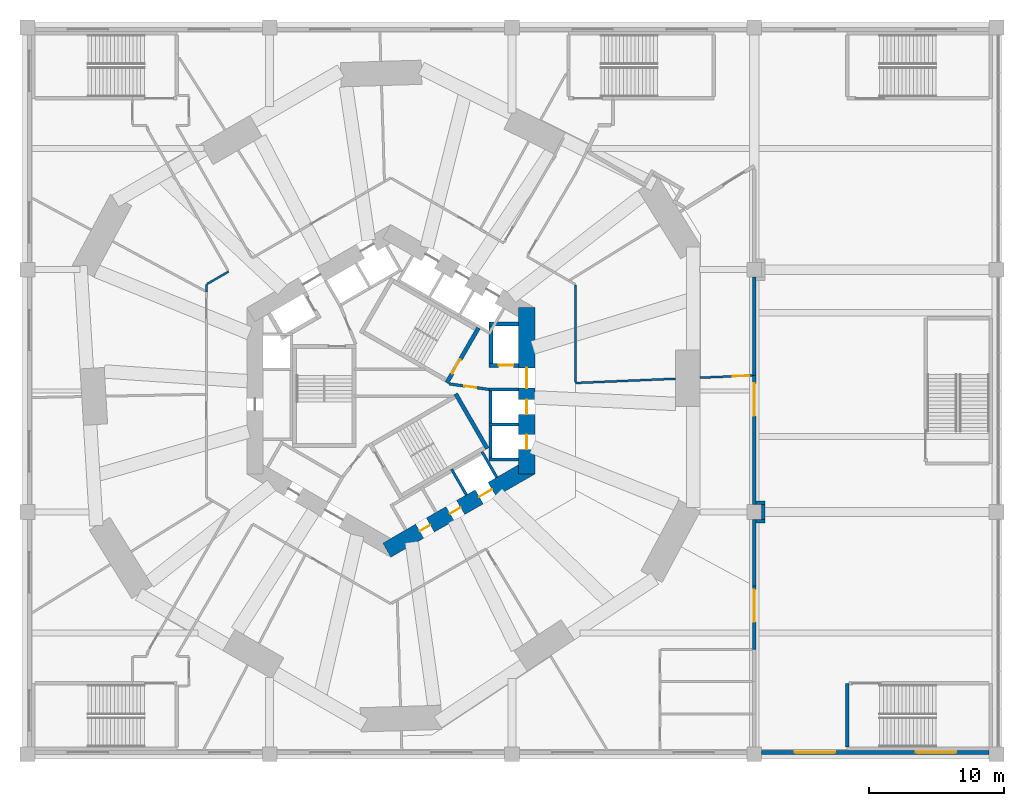
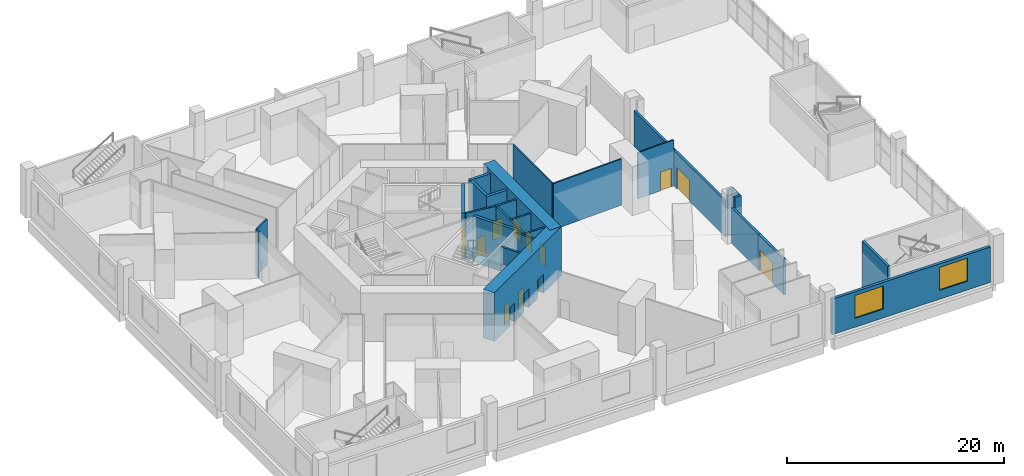
# One storey, part 7 of 16: 28 walls, 12 doors, 2 windows, 14 openings.
"""IFC4 building model written with IfcOpenShell, lengths in metres."""

from ifc_helpers import new_model, si_unit, direction, frame, frame_2d, origin, place, context, subcontext, project, spatial, rectangle, extrude, material, layer, layer_set, type_object, element, fill, save


model = new_model("IFC4")

# Units and contexts
model_context = context("Model", 3, precision=1e-05, world=origin(), true_north=direction((0.0, 1.0)))
body_context = subcontext(model_context, "Body", "Model", "MODEL_VIEW")
ifc_project = project(units=[si_unit("LENGTHUNIT", "METRE"), si_unit("AREAUNIT", "SQUARE_METRE"), si_unit("VOLUMEUNIT", "CUBIC_METRE"), si_unit("PLANEANGLEUNIT", "RADIAN"), si_unit("MASSUNIT", "GRAM", prefix="KILO")], contexts=[model_context])

# Site, building, storey
site_placement = place(None, origin())
site = spatial("IfcSite", under=ifc_project, at=site_placement, CompositionType="ELEMENT")
building_placement = place(site_placement, origin())
building = spatial("IfcBuilding", under=site, at=building_placement, Name="Vanh Sen Convention Tower", CompositionType="ELEMENT")
storey_placement = place(building_placement, frame((0.0, 0.0, 7.5)))
storey = spatial("IfcBuildingStorey", under=building, at=storey_placement, Name="L01", CompositionType="ELEMENT", Elevation=7.5)

# Wall, opening, door
ifc_material_1 = material(Name="Concrete C40/50", Category="concrete")
ifc_layer_1 = layer(ifc_material_1, 0.25)
ifc_layer_set_1 = layer_set([ifc_layer_1], Name="Concrete C40/50")
wall_type_1 = type_object("IfcWallType", Name="Concrete wall 250 EI 180", PredefinedType="SOLIDWALL", material=ifc_layer_set_1)
wall_1_placement = place(storey_placement, frame((27.0, -19.199951171875, 0.0), z_axis=(0.0, 0.0, 1.0), x_axis=(0.0, 1.0, 0.0)))
wall_1 = element("IfcWall", 1, at=wall_1_placement, inside=storey, type_object=wall_type_1, Name="Fire-resisting wall L01-026", PredefinedType="SOLIDWALL", context=body_context, shape_type="SweptSolid", body=[
    extrude(rectangle(XDim=4.6923828125, YDim=0.25, at=frame_2d((2.34619140625, 0.0))), origin(), (0.0, 0.0, 1.0), 4.0),
])
opening_1_placement = place(wall_1_placement, frame((2.04248046875, 0.0, 0.0)))
opening_1 = element("IfcOpeningElement", 2, at=opening_1_placement, cuts=wall_1, Name="Opening D01108", PredefinedType="OPENING", context=body_context, shape_type="SweptSolid", body=[
    extrude(rectangle(XDim=2.39990234375, YDim=2.39990234375, at=frame_2d((1.199951171875, 1.199951171875))), frame((0.0, 0.135009765625, 0.0), z_axis=(0.0, -1.0, 0.0), x_axis=(1.0, 0.0, 0.0)), (0.0, 0.0, 1.0), 0.27001953125),
])
ifc_material_2 = material(Name="Timber door in steel frame", Category="steel")
door_type_1 = type_object("IfcDoorType", Name="Double door 2400 EI 60", OperationType="DOUBLE_DOOR_SINGLE_SWING", PredefinedType="DOOR", material=ifc_material_2)
door_1_placement = place(opening_1_placement, origin())
door_1 = element("IfcDoor", 3, at=door_1_placement, inside=storey, type_object=door_type_1, Name="Double door D01108", OperationType="DOUBLE_DOOR_SINGLE_SWING", OverallHeight=2.39990234375, OverallWidth=2.39990234375, PredefinedType="DOOR", context=body_context, shape_type="SweptSolid", body=[
    extrude(rectangle(XDim=2.39990234375, YDim=2.39990234375, at=frame_2d((1.199951171875, 1.199951171875))), frame((0.0, 0.02490234375, 0.0), z_axis=(0.0, -1.0, 0.0), x_axis=(1.0, 0.0, 0.0)), (0.0, 0.0, 1.0), 0.050048828125),
])
fill(opening_1, door_1)

# Walls
wall_2_placement = place(storey_placement, frame((27.0, -14.507568359375, 0.0), z_axis=(0.0, 0.0, 1.0), x_axis=(0.0, 1.0, 0.0)))
element("IfcWall", 4, at=wall_2_placement, inside=storey, type_object=wall_type_1, Name="Fire-resisting wall L01-035", PredefinedType="SOLIDWALL", context=body_context, shape_type="SweptSolid", body=[
    extrude(rectangle(XDim=4.95751953125, YDim=0.25, at=frame_2d((2.478759765625, 0.0))), origin(), (0.0, 0.0, 1.0), 4.0),
])
wall_3_placement = place(storey_placement, frame((27.125, -9.675048828125, 0.0), z_axis=(0.0, 0.0, 1.0), x_axis=(1.0, 0.0, 0.0)))
element("IfcWall", 5, at=wall_3_placement, inside=storey, type_object=wall_type_1, Name="Fire-resisting wall L01-039", PredefinedType="SOLIDWALL", context=body_context, shape_type="SweptSolid", body=[
    extrude(rectangle(XDim=0.677001953125, YDim=0.25, at=frame_2d((0.33837890625, 0.0))), origin(), (0.0, 0.0, 1.0), 5.199951171875),
])
wall_4_placement = place(storey_placement, frame((27.677001953125, -9.550048828125, 0.0), z_axis=(0.0, 0.0, 1.0), x_axis=(0.0, 1.0, 0.0)))
element("IfcWall", 6, at=wall_4_placement, inside=storey, type_object=wall_type_1, Name="Fire-resisting wall L01-040", PredefinedType="SOLIDWALL", context=body_context, shape_type="SweptSolid", body=[
    extrude(rectangle(XDim=1.10009765625, YDim=0.25, at=frame_2d((0.550048828125, 0.0))), origin(), (0.0, 0.0, 1.0), 5.199951171875),
])

# Wall, opening, door
wall_5_placement = place(storey_placement, frame((27.0, -8.449951171875, 0.0), z_axis=(0.0, 0.0, 1.0), x_axis=(0.0, 1.0, 0.0)))
wall_5 = element("IfcWall", 7, at=wall_5_placement, inside=storey, type_object=wall_type_1, Name="Fire-resisting wall L01-042", PredefinedType="SOLIDWALL", context=body_context, shape_type="SweptSolid", body=[
    extrude(rectangle(XDim=9.597412109375, YDim=0.25, at=frame_2d((4.798828125, 0.0))), origin(), (0.0, 0.0, 1.0), 4.0),
])
opening_2_placement = place(wall_5_placement, frame((6.597412109375, 0.0, 0.0)))
opening_2 = element("IfcOpeningElement", 8, at=opening_2_placement, cuts=wall_5, Name="Opening D01111", PredefinedType="OPENING", context=body_context, shape_type="SweptSolid", body=[
    extrude(rectangle(XDim=2.39990234375, YDim=2.39990234375, at=frame_2d((1.199951171875, 1.199951171875))), frame((0.0, 0.135009765625, 0.0), z_axis=(0.0, -1.0, 0.0), x_axis=(1.0, 0.0, 0.0)), (0.0, 0.0, 1.0), 0.27001953125),
])
door_2_placement = place(opening_2_placement, origin())
door_2 = element("IfcDoor", 9, at=door_2_placement, inside=storey, type_object=door_type_1, Name="Double door D01111", OperationType="DOUBLE_DOOR_SINGLE_SWING", OverallHeight=2.39990234375, OverallWidth=2.39990234375, PredefinedType="DOOR", context=body_context, shape_type="SweptSolid", body=[
    extrude(rectangle(XDim=2.39990234375, YDim=2.39990234375, at=frame_2d((1.199951171875, 1.199951171875))), frame((0.0, 0.02490234375, 0.0), z_axis=(0.0, -1.0, 0.0), x_axis=(1.0, 0.0, 0.0)), (0.0, 0.0, 1.0), 0.050048828125),
])
fill(opening_2, door_2)

# Walls
wall_6_placement = place(storey_placement, frame((27.125, -8.324951171875, 0.0), z_axis=(0.0, 0.0, 1.0), x_axis=(1.0, 0.0, 0.0)))
element("IfcWall", 10, at=wall_6_placement, inside=storey, type_object=wall_type_1, Name="Fire-resisting wall L01-043", PredefinedType="SOLIDWALL", context=body_context, shape_type="SweptSolid", body=[
    extrude(rectangle(XDim=0.677001953125, YDim=0.25, at=frame_2d((0.33837890625, 0.0))), origin(), (0.0, 0.0, 1.0), 5.199951171875),
])
wall_7_placement = place(storey_placement, frame((27.0, 1.1474609375, 0.0), z_axis=(0.0, 0.0, 1.0), x_axis=(0.0, 1.0, 0.0)))
element("IfcWall", 11, at=wall_7_placement, inside=storey, type_object=wall_type_1, Name="Fire-resisting wall L01-053", PredefinedType="SOLIDWALL", context=body_context, shape_type="SweptSolid", body=[
    extrude(rectangle(XDim=7.302490234375, YDim=0.25, at=frame_2d((3.6513671875, 0.0))), origin(), (0.0, 0.0, 1.0), 4.0),
])
ifc_layer_2 = layer(ifc_material_1, 0.25)
ifc_layer_set_2 = layer_set([ifc_layer_2], Name="Concrete C40/50")
wall_type_2 = type_object("IfcWallType", Name="Concrete wall 250 REI 180", PredefinedType="SOLIDWALL", material=ifc_layer_set_2)
wall_8_placement = place(storey_placement, frame((33.89990234375, -26.43994140625, 0.0), z_axis=(0.0, 0.0, 1.0), x_axis=(0.0, 1.0, 0.0)))
element("IfcWall", 12, at=wall_8_placement, inside=storey, type_object=wall_type_2, Name="Fire-resisting wall L01-003", PredefinedType="SOLIDWALL", context=body_context, shape_type="SweptSolid", body=[
    extrude(rectangle(XDim=4.71484375, YDim=0.25, at=frame_2d((2.357421875, 0.0))), origin(), (0.0, 0.0, 1.0), 5.199951171875),
])

# Wall, openings, doors
ifc_material_3 = material(Name="Concrete C80/95", Category="concrete")
ifc_layer_3 = layer(ifc_material_3, 1.199951171875)
ifc_layer_set_3 = layer_set([ifc_layer_3], Name="Concrete C80/95")
wall_type_3 = type_object("IfcWallType", Name="Core outer wall 1200 C80/95", PredefinedType="SHEAR", material=ifc_layer_set_3)
wall_9_placement = place(storey_placement, frame((10.10009765625, -6.177490234375, 0.0), z_axis=(0.0, 0.0, 1.0), x_axis=(0.0, 1.0, 0.0)))
wall_9 = element("IfcWall", 13, at=wall_9_placement, inside=storey, type_object=wall_type_3, Name="Core wall face E L01", PredefinedType="SHEAR", context=body_context, shape_type="SweptSolid", body=[
    extrude(rectangle(XDim=12.35498046875, YDim=1.199951171875, at=frame_2d((6.177490234375, 0.0))), origin(), (0.0, 0.0, 1.0), 5.5),
])
opening_3_placement = place(wall_9_placement, frame((6.377685546875, 0.0, 0.0)))
opening_3 = element("IfcOpeningElement", 14, at=opening_3_placement, cuts=wall_9, Name="Opening D01001", PredefinedType="OPENING", context=body_context, shape_type="SweptSolid", body=[
    extrude(rectangle(XDim=1.5, YDim=2.10009765625, at=frame_2d((0.75, 1.050048828125))), frame((0.0, 0.60986328125, 0.0), z_axis=(0.0, -1.0, 0.0), x_axis=(1.0, 0.0, 0.0)), (0.0, 0.0, 1.0), 1.219970703125),
])
opening_4_placement = place(wall_9_placement, frame((1.82763671875, 0.0, 0.0)))
opening_4 = element("IfcOpeningElement", 15, at=opening_4_placement, cuts=wall_9, Name="Opening LD-LR1", PredefinedType="OPENING", context=body_context, shape_type="SweptSolid", body=[
    extrude(rectangle(XDim=1.10009765625, YDim=2.10009765625, at=frame_2d((0.550048828125, 1.050048828125))), frame((0.0, 0.60986328125, 0.0), z_axis=(0.0, -1.0, 0.0), x_axis=(1.0, 0.0, 0.0)), (0.0, 0.0, 1.0), 1.219970703125),
])
opening_5_placement = place(wall_9_placement, frame((4.427490234375, 0.0, 0.0)))
opening_5 = element("IfcOpeningElement", 16, at=opening_5_placement, cuts=wall_9, Name="Opening LD-LR2", PredefinedType="OPENING", context=body_context, shape_type="SweptSolid", body=[
    extrude(rectangle(XDim=1.10009765625, YDim=2.10009765625, at=frame_2d((0.550048828125, 1.050048828125))), frame((0.0, 0.60986328125, 0.0), z_axis=(0.0, -1.0, 0.0), x_axis=(1.0, 0.0, 0.0)), (0.0, 0.0, 1.0), 1.219970703125),
])
ifc_material_4 = material(Name="Stainless steel", Category="steel")
door_type_2 = type_object("IfcDoorType", Name="Lift landing door 1100", OperationType="DOUBLE_DOOR_SLIDING", PredefinedType="DOOR", material=ifc_material_4)
door_3_placement = place(opening_4_placement, origin())
door_3 = element("IfcDoor", 17, at=door_3_placement, inside=storey, type_object=door_type_2, Name="Lift LR1 landing door LD-LR1", OperationType="DOUBLE_DOOR_SLIDING", OverallHeight=2.10009765625, OverallWidth=1.10009765625, PredefinedType="DOOR", context=body_context, shape_type="SweptSolid", body=[
    extrude(rectangle(XDim=1.10009765625, YDim=2.10009765625, at=frame_2d((0.550048828125, 1.050048828125))), frame((0.0, 0.02490234375, 0.0), z_axis=(0.0, -1.0, 0.0), x_axis=(1.0, 0.0, 0.0)), (0.0, 0.0, 1.0), 0.050048828125),
])
fill(opening_4, door_3)
door_4_placement = place(opening_5_placement, origin())
door_4 = element("IfcDoor", 18, at=door_4_placement, inside=storey, type_object=door_type_2, Name="Lift LR2 landing door LD-LR2", OperationType="DOUBLE_DOOR_SLIDING", OverallHeight=2.10009765625, OverallWidth=1.10009765625, PredefinedType="DOOR", context=body_context, shape_type="SweptSolid", body=[
    extrude(rectangle(XDim=1.10009765625, YDim=2.10009765625, at=frame_2d((0.550048828125, 1.050048828125))), frame((0.0, 0.02490234375, 0.0), z_axis=(0.0, -1.0, 0.0), x_axis=(1.0, 0.0, 0.0)), (0.0, 0.0, 1.0), 0.050048828125),
])
fill(opening_5, door_4)
ifc_material_5 = material(Name="Steel S355", Category="steel")
door_type_3 = type_object("IfcDoorType", Name="Stair lobby door 1500", OperationType="DOUBLE_DOOR_SINGLE_SWING", PredefinedType="DOOR", material=ifc_material_5)
door_5_placement = place(opening_3_placement, origin())
door_5 = element("IfcDoor", 19, at=door_5_placement, inside=storey, type_object=door_type_3, Name="Stair lobby door D01001", OperationType="DOUBLE_DOOR_SINGLE_SWING", OverallHeight=2.10009765625, OverallWidth=1.5, PredefinedType="DOOR", context=body_context, shape_type="SweptSolid", body=[
    extrude(rectangle(XDim=1.5, YDim=2.10009765625, at=frame_2d((0.75, 1.050048828125))), frame((0.0, 0.02490234375, 0.0), z_axis=(0.0, -1.0, 0.0), x_axis=(1.0, 0.0, 0.0)), (0.0, 0.0, 1.0), 0.050048828125),
])
fill(opening_3, door_5)

wall_10_placement = place(storey_placement, frame((-0.300048828125, -11.835693359375, 0.0), z_axis=(0.0, 0.0, 1.0), x_axis=(0.866021384402, 0.500006961711, 0.0)))
wall_10 = element("IfcWall", 20, at=wall_10_placement, inside=storey, type_object=wall_type_3, Name="Core wall face SE L01", PredefinedType="SHEAR", context=body_context, shape_type="SweptSolid", body=[
    extrude(rectangle(XDim=12.355224609375, YDim=1.199951171875, at=frame_2d((6.177734375, 0.0))), origin(), (0.0, 0.0, 1.0), 5.5),
])
opening_6_placement = place(wall_10_placement, frame((2.82763671875, 0.0, 0.0)))
opening_6 = element("IfcOpeningElement", 21, at=opening_6_placement, cuts=wall_10, Name="Opening D01012", PredefinedType="OPENING", context=body_context, shape_type="SweptSolid", body=[
    extrude(rectangle(XDim=0.89990234375, YDim=2.10009765625, at=frame_2d((0.449951171875, 1.050048828125))), frame((0.0, 0.60986328125, 0.0), z_axis=(0.0, -1.0, 0.0), x_axis=(1.0, 0.0, 0.0)), (0.0, 0.0, 1.0), 1.219970703125),
])
opening_7_placement = place(wall_10_placement, frame((5.427734375, 0.0, 0.0)))
opening_7 = element("IfcOpeningElement", 22, at=opening_7_placement, cuts=wall_10, Name="Opening D01013", PredefinedType="OPENING", context=body_context, shape_type="SweptSolid", body=[
    extrude(rectangle(XDim=0.89990234375, YDim=2.10009765625, at=frame_2d((0.449951171875, 1.050048828125))), frame((0.0, 0.60986328125, 0.0), z_axis=(0.0, -1.0, 0.0), x_axis=(1.0, 0.0, 0.0)), (0.0, 0.0, 1.0), 1.219970703125),
])
opening_8_placement = place(wall_10_placement, frame((7.927734375, 0.0, 0.0)))
opening_8 = element("IfcOpeningElement", 23, at=opening_8_placement, cuts=wall_10, Name="Opening LD-SV1", PredefinedType="OPENING", context=body_context, shape_type="SweptSolid", body=[
    extrude(rectangle(XDim=1.10009765625, YDim=2.10009765625, at=frame_2d((0.550048828125, 1.050048828125))), frame((0.0, 0.60986328125, 0.0), z_axis=(0.0, -1.0, 0.0), x_axis=(1.0, 0.0, 0.0)), (0.0, 0.0, 1.0), 1.219970703125),
])
door_6_placement = place(opening_8_placement, origin())
door_6 = element("IfcDoor", 24, at=door_6_placement, inside=storey, type_object=door_type_2, Name="Lift SV1 landing door LD-SV1", OperationType="DOUBLE_DOOR_SLIDING", OverallHeight=2.10009765625, OverallWidth=1.10009765625, PredefinedType="DOOR", context=body_context, shape_type="SweptSolid", body=[
    extrude(rectangle(XDim=1.10009765625, YDim=2.10009765625, at=frame_2d((0.550048828125, 1.050048828125))), frame((0.0, 0.02490234375, 0.0), z_axis=(0.0, -1.0, 0.0), x_axis=(1.0, 0.0, 0.0)), (0.0, 0.0, 1.0), 0.050048828125),
])
fill(opening_8, door_6)
door_type_4 = type_object("IfcDoorType", Name="Plant door 900", OperationType="SINGLE_SWING_LEFT", PredefinedType="DOOR", material=ifc_material_5)
door_7_placement = place(opening_6_placement, origin())
door_7 = element("IfcDoor", 25, at=door_7_placement, inside=storey, type_object=door_type_4, Name="Plant door D01012", OperationType="SINGLE_SWING_LEFT", OverallHeight=2.10009765625, OverallWidth=0.89990234375, PredefinedType="DOOR", context=body_context, shape_type="SweptSolid", body=[
    extrude(rectangle(XDim=0.89990234375, YDim=2.10009765625, at=frame_2d((0.449951171875, 1.050048828125))), frame((0.0, 0.02490234375, 0.0), z_axis=(0.0, -1.0, 0.0), x_axis=(1.0, 0.0, 0.0)), (0.0, 0.0, 1.0), 0.050048828125),
])
fill(opening_6, door_7)
door_8_placement = place(opening_7_placement, origin())
door_8 = element("IfcDoor", 26, at=door_8_placement, inside=storey, type_object=door_type_4, Name="Plant door D01013", OperationType="SINGLE_SWING_LEFT", OverallHeight=2.10009765625, OverallWidth=0.89990234375, PredefinedType="DOOR", context=body_context, shape_type="SweptSolid", body=[
    extrude(rectangle(XDim=0.89990234375, YDim=2.10009765625, at=frame_2d((0.449951171875, 1.050048828125))), frame((0.0, 0.02490234375, 0.0), z_axis=(0.0, -1.0, 0.0), x_axis=(1.0, 0.0, 0.0)), (0.0, 0.0, 1.0), 0.050048828125),
])
fill(opening_7, door_8)

# Wall, opening, door
ifc_material_6 = material(Name="Concrete C60/75", Category="concrete")
ifc_layer_4 = layer(ifc_material_6, 0.300048828125)
ifc_layer_set_4 = layer_set([ifc_layer_4], Name="Concrete C60/75")
wall_type_4 = type_object("IfcWallType", Name="Fire-fighting lift shaft wall 300", PredefinedType="SHEAR", material=ifc_layer_set_4)
wall_11_placement = place(storey_placement, frame((7.300048828125, 1.89990234375, 0.0), z_axis=(0.0, 0.0, 1.0), x_axis=(1.0, 0.0, 0.0)))
wall_11 = element("IfcWall", 27, at=wall_11_placement, inside=storey, type_object=wall_type_4, Name="Fire-fighting lift shaft wall L01", PredefinedType="SHEAR", context=body_context, shape_type="SweptSolid", body=[
    extrude(rectangle(XDim=2.199951171875, YDim=0.300048828125, at=frame_2d((1.10009765625, 0.0))), origin(), (0.0, 0.0, 1.0), 5.199951171875),
])
opening_9_placement = place(wall_11_placement, frame((0.699951171875, 0.0, 0.0)))
opening_9 = element("IfcOpeningElement", 28, at=opening_9_placement, cuts=wall_11, Name="Opening LD-FF1", PredefinedType="OPENING", context=body_context, shape_type="SweptSolid", body=[
    extrude(rectangle(XDim=1.10009765625, YDim=2.10009765625, at=frame_2d((0.550048828125, 1.050048828125))), frame((0.0, 0.159912109375, 0.0), z_axis=(0.0, -1.0, 0.0), x_axis=(1.0, 0.0, 0.0)), (0.0, 0.0, 1.0), 0.320068359375),
])
door_type_5 = type_object("IfcDoorType", Name="Fire-fighting lift landing door 1100", OperationType="DOUBLE_DOOR_SLIDING", PredefinedType="DOOR", material=ifc_material_4)
door_9_placement = place(opening_9_placement, origin())
door_9 = element("IfcDoor", 29, at=door_9_placement, inside=storey, type_object=door_type_5, Name="Lift FF1 landing door LD-FF1", OperationType="DOUBLE_DOOR_SLIDING", OverallHeight=2.10009765625, OverallWidth=1.10009765625, PredefinedType="DOOR", context=body_context, shape_type="SweptSolid", body=[
    extrude(rectangle(XDim=1.10009765625, YDim=2.10009765625, at=frame_2d((0.550048828125, 1.050048828125))), frame((0.0, 0.02490234375, 0.0), z_axis=(0.0, -1.0, 0.0), x_axis=(1.0, 0.0, 0.0)), (0.0, 0.0, 1.0), 0.050048828125),
])
fill(opening_9, door_9)

# Walls
wall_12_placement = place(storey_placement, frame((7.449951171875, 1.75, 0.0), z_axis=(0.0, 0.0, 1.0), x_axis=(0.0, 1.0, 0.0)))
element("IfcWall", 30, at=wall_12_placement, inside=storey, type_object=wall_type_4, Name="Fire-fighting lift shaft wall L01", PredefinedType="SHEAR", context=body_context, shape_type="SweptSolid", body=[
    extrude(rectangle(XDim=3.35009765625, YDim=0.300048828125, at=frame_2d((1.675048828125, 0.0))), origin(), (0.0, 0.0, 1.0), 5.199951171875),
])
wall_13_placement = place(storey_placement, frame((7.300048828125, 4.949951171875, 0.0), z_axis=(0.0, 0.0, 1.0), x_axis=(1.0, 0.0, 0.0)))
element("IfcWall", 31, at=wall_13_placement, inside=storey, type_object=wall_type_4, Name="Fire-fighting lift shaft wall L01", PredefinedType="SHEAR", context=body_context, shape_type="SweptSolid", body=[
    extrude(rectangle(XDim=2.199951171875, YDim=0.300048828125, at=frame_2d((1.10009765625, 0.0))), origin(), (0.0, 0.0, 1.0), 5.199951171875),
])
ifc_layer_5 = layer(ifc_material_1, 0.199951171875)
ifc_layer_set_5 = layer_set([ifc_layer_5], Name="Concrete C40/50")
wall_type_5 = type_object("IfcWallType", Name="Lift shaft wall 200", PredefinedType="PARTITIONING", material=ifc_layer_set_5)
wall_14_placement = place(storey_placement, frame((7.39990234375, -5.199951171875, 0.0), z_axis=(0.0, 0.0, 1.0), x_axis=(0.0, 1.0, 0.0)))
element("IfcWall", 32, at=wall_14_placement, inside=storey, type_object=wall_type_5, Name="Lift shaft wall L01", PredefinedType="PARTITIONING", context=body_context, shape_type="SweptSolid", body=[
    extrude(rectangle(XDim=5.39990234375, YDim=0.199951171875, at=frame_2d((2.699951171875, 0.0))), origin(), (0.0, 0.0, 1.0), 5.199951171875),
])
for number, where, z_axis, x_axis, name in (
    (33, (7.300048828125, -5.10009765625, 0.0), (0.0, 0.0, 1.0), (1.0, 0.0, 0.0), "Lift shaft wall L01"),
    (34, (7.300048828125, -2.5, 0.0), (0.0, 0.0, 1.0), (1.0, 0.0, 0.0), "Lift shaft wall L01"),
    (35, (7.300048828125, 0.10009765625, 0.0), (0.0, 0.0, 1.0), (1.0, 0.0, 0.0), "Lift shaft wall L01"),
    (36, (4.51611328125, -5.822021484375, 0.0), (0.0, 0.0, 1.0), (0.499946605688, -0.86605622881, 0.0), "Lift shaft wall L01"),
    (37, (6.767578125, -4.52197265625, 0.0), (0.0, 0.0, 1.0), (0.50002983664, -0.866008176907, 0.0), "Lift shaft wall L01"),
):
    element("IfcWall", number, at=place(storey_placement, frame(where, z_axis=z_axis, x_axis=x_axis)), inside=storey, type_object=wall_type_5, Name=name, PredefinedType="PARTITIONING", context=body_context, shape_type="SweptSolid", body=[
        extrude(rectangle(XDim=2.199951171875, YDim=0.199951171875, at=frame_2d((1.10009765625, 0.0))), origin(), (0.0, 0.0, 1.0), 5.199951171875),
    ])
ifc_material_7 = material(Name="Gypsum board on steel studs", Category="steel")
ifc_layer_6 = layer(ifc_material_7, 0.14990234375)
ifc_layer_set_6 = layer_set([ifc_layer_6], Name="Gypsum board on steel studs")
wall_type_6 = type_object("IfcWallType", Name="Partition 150 EI 60", PredefinedType="PARTITIONING", material=ifc_layer_set_6)
wall_15_placement = place(storey_placement, frame((21.14990234375, 0.899169921875, 0.0), z_axis=(0.0, 0.0, 1.0), x_axis=(-0.999097940345, -0.04246534585, 0.0)))
element("IfcWall", 38, at=wall_15_placement, inside=storey, type_object=wall_type_6, Name="Partition L01-051", PredefinedType="PARTITIONING", context=body_context, shape_type="SweptSolid", body=[
    extrude(rectangle(XDim=7.456787109375, YDim=0.14990234375, at=frame_2d((3.728515625, 0.0))), origin(), (0.0, 0.0, 1.0), 5.199951171875),
])

# Wall, opening, door
wall_16_placement = place(storey_placement, frame((22.949951171875, 0.9755859375, 0.0), z_axis=(0.0, 0.0, 1.0), x_axis=(0.999099895287, 0.042419326223, 0.0)))
wall_16 = element("IfcWall", 39, at=wall_16_placement, inside=storey, type_object=wall_type_6, Name="Partition L01-052", PredefinedType="PARTITIONING", context=body_context, shape_type="SweptSolid", body=[
    extrude(rectangle(XDim=3.91357421875, YDim=0.14990234375, at=frame_2d((1.956787109375, 0.0))), origin(), (0.0, 0.0, 1.0), 5.199951171875),
])
opening_10_placement = place(wall_16_placement, frame((2.463623046875, 0.0, 0.0)))
opening_10 = element("IfcOpeningElement", 40, at=opening_10_placement, cuts=wall_16, Name="Opening D01115", PredefinedType="OPENING", context=body_context, shape_type="SweptSolid", body=[
    extrude(rectangle(XDim=1.199951171875, YDim=2.10009765625, at=frame_2d((0.60009765625, 1.050048828125))), frame((0.0, 0.0849609375, 0.0), z_axis=(0.0, -1.0, 0.0), x_axis=(1.0, 0.0, 0.0)), (0.0, 0.0, 1.0), 0.169921875),
])
door_type_6 = type_object("IfcDoorType", Name="Room door 1200 EI 30", OperationType="SINGLE_SWING_LEFT", PredefinedType="DOOR", material=ifc_material_2)
door_10_placement = place(opening_10_placement, origin())
door_10 = element("IfcDoor", 41, at=door_10_placement, inside=storey, type_object=door_type_6, Name="Room door D01115", OperationType="SINGLE_SWING_LEFT", OverallHeight=2.10009765625, OverallWidth=1.199951171875, PredefinedType="DOOR", context=body_context, shape_type="SweptSolid", body=[
    extrude(rectangle(XDim=1.199951171875, YDim=2.10009765625, at=frame_2d((0.60009765625, 1.050048828125))), frame((0.0, 0.02490234375, 0.0), z_axis=(0.0, -1.0, 0.0), x_axis=(1.0, 0.0, 0.0)), (0.0, 0.0, 1.0), 0.050048828125),
])
fill(opening_10, door_10)

# Walls
wall_17_placement = place(storey_placement, frame((-13.699951171875, 7.361572265625, 0.0), z_axis=(0.0, 0.0, 1.0), x_axis=(0.0, 1.0, 0.0)))
element("IfcWall", 42, at=wall_17_placement, inside=storey, type_object=wall_type_6, Name="Partition L01-055", PredefinedType="PARTITIONING", context=body_context, shape_type="SweptSolid", body=[
    extrude(rectangle(XDim=0.5478515625, YDim=0.14990234375, at=frame_2d((0.27392578125, 0.0))), origin(), (0.0, 0.0, 1.0), 5.199951171875),
])
wall_18_placement = place(storey_placement, frame((13.699951171875, 7.849609375, 0.0), z_axis=(0.0, 0.0, 1.0), x_axis=(0.0, -1.0, 0.0)))
element("IfcWall", 43, at=wall_18_placement, inside=storey, type_object=wall_type_6, Name="Partition L01-057", PredefinedType="PARTITIONING", context=body_context, shape_type="SweptSolid", body=[
    extrude(rectangle(XDim=7.18701171875, YDim=0.14990234375, at=frame_2d((3.593505859375, 0.0))), origin(), (0.0, 0.0, 1.0), 5.199951171875),
])
wall_19_placement = place(storey_placement, frame((-13.64794921875, 7.939453125, 0.0), z_axis=(0.0, 0.0, 1.0), x_axis=(0.866024486176, 0.500001589341, 0.0)))
element("IfcWall", 44, at=wall_19_placement, inside=storey, type_object=wall_type_6, Name="Partition L01-059", PredefinedType="PARTITIONING", context=body_context, shape_type="SweptSolid", body=[
    extrude(rectangle(XDim=1.84228515625, YDim=0.14990234375, at=frame_2d((0.921142578125, 0.0))), origin(), (0.0, 0.0, 1.0), 5.199951171875),
])

# Wall, openings, windows
ifc_material_8 = material(Name="Concrete C50/60", Category="concrete")
ifc_layer_7 = layer(ifc_material_8, 0.300048828125)
ifc_layer_set_7 = layer_set([ifc_layer_7], Name="Concrete C50/60")
wall_type_7 = type_object("IfcWallType", Name="Podium wall 300", PredefinedType="STANDARD", material=ifc_layer_set_7)
wall_20_placement = place(storey_placement, frame((27.550048828125, -26.85009765625, 0.0), z_axis=(0.0, 0.0, 1.0), x_axis=(1.0, 0.0, 0.0)))
wall_20 = element("IfcWall", 45, at=wall_20_placement, inside=storey, type_object=wall_type_7, Name="Podium wall S4 L01", PredefinedType="STANDARD", context=body_context, shape_type="SweptSolid", body=[
    extrude(rectangle(XDim=16.89990234375, YDim=0.300048828125, at=frame_2d((8.449951171875, 0.0))), origin(), (0.0, 0.0, 1.0), 4.0),
])
opening_11_placement = place(wall_20_placement, frame((2.449951171875, 0.0, 1.0)))
opening_11 = element("IfcOpeningElement", 46, at=opening_11_placement, cuts=wall_20, Name="Opening WP2-S7", PredefinedType="OPENING", context=body_context, shape_type="SweptSolid", body=[
    extrude(rectangle(XDim=3.0, YDim=2.60009765625, at=frame_2d((1.5, 1.300048828125))), frame((0.0, 0.159912109375, 0.0), z_axis=(0.0, -1.0, 0.0), x_axis=(1.0, 0.0, 0.0)), (0.0, 0.0, 1.0), 0.320068359375),
])
opening_12_placement = place(wall_20_placement, frame((11.449951171875, 0.0, 1.0)))
opening_12 = element("IfcOpeningElement", 47, at=opening_12_placement, cuts=wall_20, Name="Opening WP2-S8", PredefinedType="OPENING", context=body_context, shape_type="SweptSolid", body=[
    extrude(rectangle(XDim=3.0, YDim=2.60009765625, at=frame_2d((1.5, 1.300048828125))), frame((0.0, 0.159912109375, 0.0), z_axis=(0.0, -1.0, 0.0), x_axis=(1.0, 0.0, 0.0)), (0.0, 0.0, 1.0), 0.320068359375),
])
ifc_material_9 = material(Name="Aluminium frame with clear low-emissivity glass", Category="aluminium")
window_type = type_object("IfcWindowType", Name="Podium window 3000 x 2600", PartitioningType="SINGLE_PANEL", PredefinedType="WINDOW", material=ifc_material_9)
window_1_placement = place(opening_11_placement, origin())
window_1 = element("IfcWindow", 48, at=window_1_placement, inside=storey, type_object=window_type, Name="Window WP2-S7", OverallHeight=2.60009765625, OverallWidth=3.0, PartitioningType="SINGLE_PANEL", PredefinedType="WINDOW", context=body_context, shape_type="SweptSolid", body=[
    extrude(rectangle(XDim=3.0, YDim=2.60009765625, at=frame_2d((1.5, 1.300048828125))), frame((0.0, 0.030029296875, 0.0), z_axis=(0.0, -1.0, 0.0), x_axis=(1.0, 0.0, 0.0)), (0.0, 0.0, 1.0), 0.06005859375),
])
fill(opening_11, window_1)
window_2_placement = place(opening_12_placement, origin())
window_2 = element("IfcWindow", 49, at=window_2_placement, inside=storey, type_object=window_type, Name="Window WP2-S8", OverallHeight=2.60009765625, OverallWidth=3.0, PartitioningType="SINGLE_PANEL", PredefinedType="WINDOW", context=body_context, shape_type="SweptSolid", body=[
    extrude(rectangle(XDim=3.0, YDim=2.60009765625, at=frame_2d((1.5, 1.300048828125))), frame((0.0, 0.030029296875, 0.0), z_axis=(0.0, -1.0, 0.0), x_axis=(1.0, 0.0, 0.0)), (0.0, 0.0, 1.0), 0.06005859375),
])
fill(opening_12, window_2)

# Wall, opening, door
ifc_layer_8 = layer(ifc_material_1, 0.199951171875)
ifc_layer_set_8 = layer_set([ifc_layer_8], Name="Concrete C40/50")
wall_type_8 = type_object("IfcWallType", Name="Stair lobby wall 200", PredefinedType="PARTITIONING", material=ifc_layer_set_8)
wall_21_placement = place(storey_placement, frame((4.327392578125, 0.52099609375, 0.0), z_axis=(0.0, 0.0, 1.0), x_axis=(0.990124376366, -0.14019172346, 0.0)))
wall_21 = element("IfcWall", 50, at=wall_21_placement, inside=storey, type_object=wall_type_8, Name="Stair lobby wall L01", PredefinedType="PARTITIONING", context=body_context, shape_type="SweptSolid", body=[
    extrude(rectangle(XDim=3.002197265625, YDim=0.199951171875, at=frame_2d((1.5009765625, 0.0))), origin(), (0.0, 0.0, 1.0), 5.199951171875),
])
opening_13_placement = place(wall_21_placement, frame((1.14990234375, 0.0, 0.0)))
opening_13 = element("IfcOpeningElement", 51, at=opening_13_placement, cuts=wall_21, Name="Opening D01007", PredefinedType="OPENING", context=body_context, shape_type="SweptSolid", body=[
    extrude(rectangle(XDim=0.89990234375, YDim=2.10009765625, at=frame_2d((0.449951171875, 1.050048828125))), frame((0.0, 0.10986328125, 0.0), z_axis=(0.0, -1.0, 0.0), x_axis=(1.0, 0.0, 0.0)), (0.0, 0.0, 1.0), 0.219970703125),
])
door_11_placement = place(opening_13_placement, origin())
door_11 = element("IfcDoor", 52, at=door_11_placement, inside=storey, type_object=door_type_4, Name="Plant door D01007", OperationType="SINGLE_SWING_LEFT", OverallHeight=2.10009765625, OverallWidth=0.89990234375, PredefinedType="DOOR", context=body_context, shape_type="SweptSolid", body=[
    extrude(rectangle(XDim=0.89990234375, YDim=2.10009765625, at=frame_2d((0.449951171875, 1.050048828125))), frame((0.0, 0.02490234375, 0.0), z_axis=(0.0, -1.0, 0.0), x_axis=(1.0, 0.0, 0.0)), (0.0, 0.0, 1.0), 0.050048828125),
])
fill(opening_13, door_11)

ifc_layer_9 = layer(ifc_material_6, 0.300048828125)
ifc_layer_set_9 = layer_set([ifc_layer_9], Name="Concrete C60/75")
wall_type_9 = type_object("IfcWallType", Name="Stair wall 300", PredefinedType="SHEAR", material=ifc_layer_set_9)
wall_22_placement = place(storey_placement, frame((4.157958984375, 0.601806640625, 0.0), z_axis=(0.0, 0.0, 1.0), x_axis=(0.499977259774, 0.866038532462, 0.0)))
wall_22 = element("IfcWall", 53, at=wall_22_placement, inside=storey, type_object=wall_type_9, Name="Stair wall L01", PredefinedType="SHEAR", context=body_context, shape_type="SweptSolid", body=[
    extrude(rectangle(XDim=4.699951171875, YDim=0.300048828125, at=frame_2d((2.35009765625, 0.0))), origin(), (0.0, 0.0, 1.0), 5.199951171875),
])
opening_14_placement = place(wall_22_placement, frame((0.800048828125, 0.0, 0.0)))
opening_14 = element("IfcOpeningElement", 54, at=opening_14_placement, cuts=wall_22, Name="Opening D01004", PredefinedType="OPENING", context=body_context, shape_type="SweptSolid", body=[
    extrude(rectangle(XDim=1.199951171875, YDim=2.10009765625, at=frame_2d((0.60009765625, 1.050048828125))), frame((0.0, 0.159912109375, 0.0), z_axis=(0.0, -1.0, 0.0), x_axis=(1.0, 0.0, 0.0)), (0.0, 0.0, 1.0), 0.320068359375),
])
door_type_7 = type_object("IfcDoorType", Name="Stair door 1200", OperationType="SINGLE_SWING_RIGHT", PredefinedType="DOOR", material=ifc_material_5)
door_12_placement = place(opening_14_placement, origin())
door_12 = element("IfcDoor", 55, at=door_12_placement, inside=storey, type_object=door_type_7, Name="Stair ST1 door D01004", OperationType="SINGLE_SWING_RIGHT", OverallHeight=2.10009765625, OverallWidth=1.199951171875, PredefinedType="DOOR", context=body_context, shape_type="SweptSolid", body=[
    extrude(rectangle(XDim=1.199951171875, YDim=2.10009765625, at=frame_2d((0.60009765625, 1.050048828125))), frame((0.0, 0.02490234375, 0.0), z_axis=(0.0, -1.0, 0.0), x_axis=(1.0, 0.0, 0.0)), (0.0, 0.0, 1.0), 0.050048828125),
])
fill(opening_14, door_12)

# Wall
wall_23_placement = place(storey_placement, frame((4.816162109375, -0.2216796875, 0.0), z_axis=(0.0, 0.0, 1.0), x_axis=(0.499977259774, -0.866038532462, 0.0)))
element("IfcWall", 56, at=wall_23_placement, inside=storey, type_object=wall_type_9, Name="Stair wall L01", PredefinedType="SHEAR", context=body_context, shape_type="SweptSolid", body=[
    extrude(rectangle(XDim=4.699951171875, YDim=0.300048828125, at=frame_2d((2.35009765625, 0.0))), origin(), (0.0, 0.0, 1.0), 5.199951171875),
])

save(model, "model.ifc")
